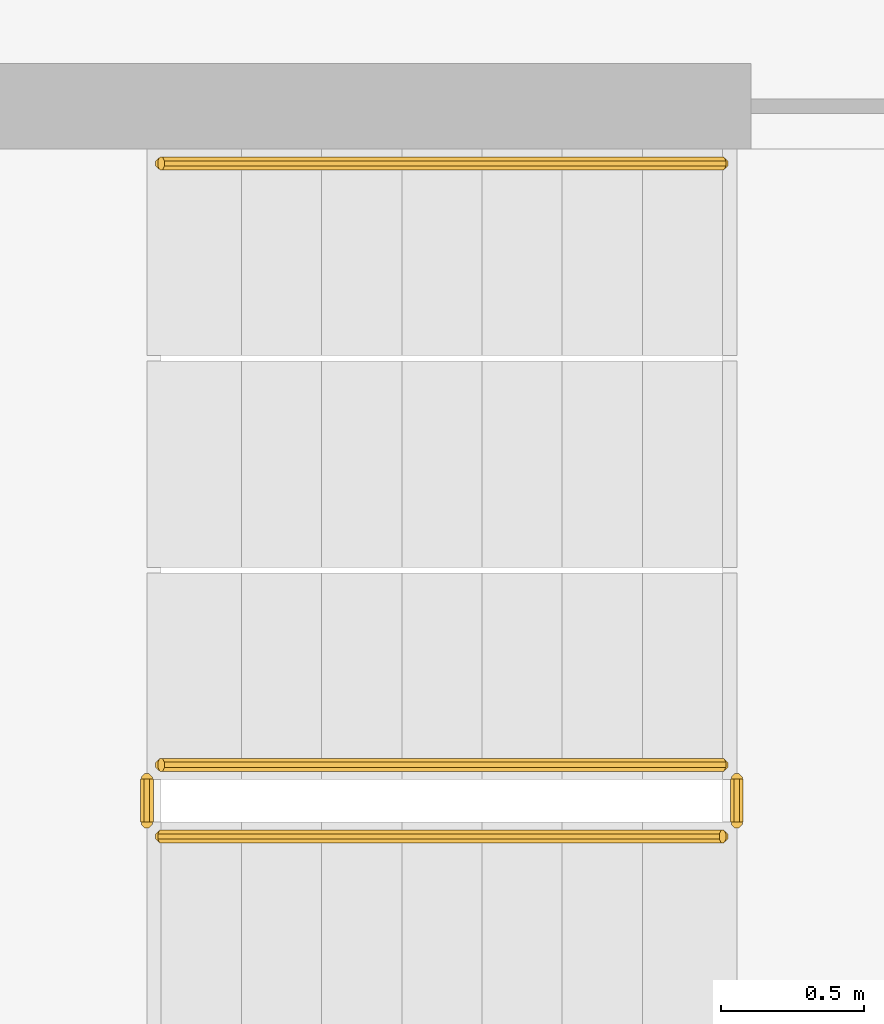
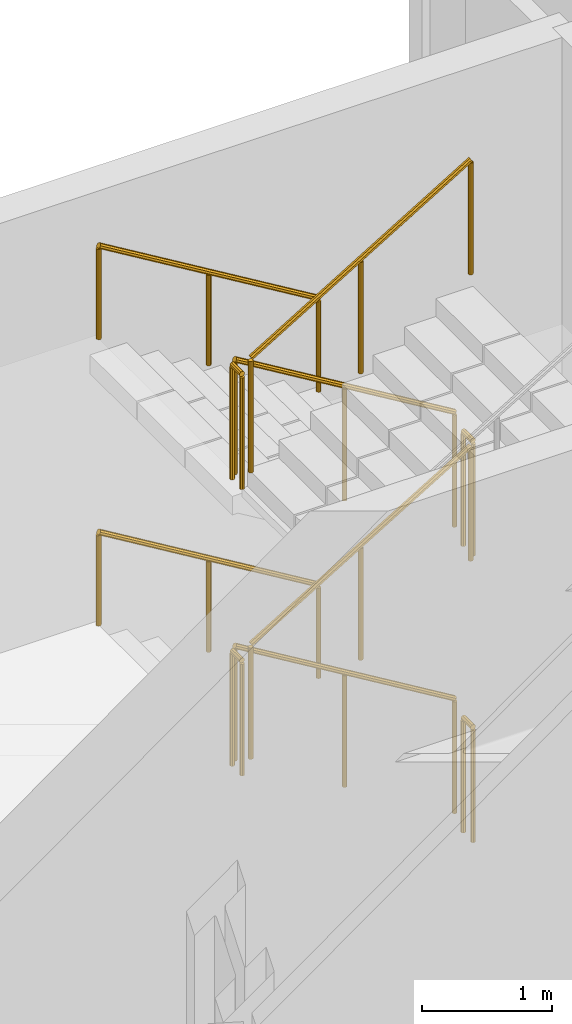
# One storey, part 21 of 31: 10 railings.
"""IFC4 building model written with IfcOpenShell, lengths in metres."""

from ifc_helpers import new_model, si_unit, direction, frame, origin, place, context, subcontext, project, spatial, polyline, outline, extrude, material, type_object, element, save


model = new_model("IFC4")

# Units and contexts
model_context = context("Model", 3, precision=1e-05, world=origin(), true_north=direction((0.0, 1.0)))
body_context = subcontext(model_context, "Body", "Model", "MODEL_VIEW")
ifc_project = project(units=[si_unit("LENGTHUNIT", "METRE"), si_unit("AREAUNIT", "SQUARE_METRE"), si_unit("VOLUMEUNIT", "CUBIC_METRE"), si_unit("PLANEANGLEUNIT", "RADIAN"), si_unit("MASSUNIT", "GRAM", prefix="KILO")], contexts=[model_context])

# Site, building, storey
site_placement = place(None, origin())
site = spatial("IfcSite", under=ifc_project, at=site_placement, CompositionType="ELEMENT")
building_placement = place(site_placement, origin())
building = spatial("IfcBuilding", under=site, at=building_placement, Name="Cormorant Relay Tower", CompositionType="ELEMENT")
storey_placement = place(building_placement, frame((0.0, 0.0, 23.0)))
storey = spatial("IfcBuildingStorey", under=building, at=storey_placement, Name="L04", CompositionType="ELEMENT", Elevation=23.0)

# Railings
ifc_material_1 = material(Name="Steel ASTM A572 Grade 50 (Fy 345 MPa)", Category="steel")
railing_type_1 = type_object("IfcRailingType", Name="Stair guard 1100", PredefinedType="GUARDRAIL", material=ifc_material_1)
railing_1_placement = place(storey_placement, frame((1.60009765625, -18.27490234375, 0.168701171875)))
element("IfcRailing", 1, at=railing_1_placement, inside=storey, type_object=railing_type_1, Name="L04 RK1 stair guard 1", PredefinedType="GUARDRAIL", context=body_context, shape_type="SweptSolid", body=[
    extrude(outline(polyline([(0.022216796875, 0.00927734375), (0.00927734375, 0.022216796875), (-0.00927734375, 0.022216796875), (-0.022216796875, 0.00927734375), (-0.022216796875, -0.00927734375), (-0.00927734375, -0.022216796875), (0.00927734375, -0.022216796875), (0.022216796875, -0.00927734375), (0.022216796875, 0.00927734375)])), frame((0.0, 0.0, 1.076171875), z_axis=(-0.856474724393, 0.0, 0.516188963923), x_axis=(0.0, -1.0, 0.0)), (0.0, 0.0, 1.0), 2.28857421875),
    extrude(outline(polyline([(0.019287109375, 0.008056640625), (0.008056640625, 0.019287109375), (-0.008056640625, 0.019287109375), (-0.019287109375, 0.008056640625), (-0.019287109375, -0.008056640625), (-0.008056640625, -0.019287109375), (0.008056640625, -0.019287109375), (0.019287109375, -0.008056640625), (0.019287109375, 0.008056640625)])), origin(), (0.0, 0.0, 1.0), 1.052001953125),
    extrude(outline(polyline([(0.019287109375, 0.008056640625), (0.008056640625, 0.019287109375), (-0.008056640625, 0.019287109375), (-0.019287109375, 0.008056640625), (-0.019287109375, -0.008056640625), (-0.008056640625, -0.019287109375), (0.008056640625, -0.019287109375), (0.019287109375, -0.008056640625), (0.019287109375, 0.008056640625)])), frame((-0.97998046875, 0.0, 0.5908203125)), (0.0, 0.0, 1.0), 1.052001953125),
    extrude(outline(polyline([(0.019287109375, 0.008056640625), (0.008056640625, 0.019287109375), (-0.008056640625, 0.019287109375), (-0.019287109375, 0.008056640625), (-0.019287109375, -0.008056640625), (-0.008056640625, -0.019287109375), (0.008056640625, -0.019287109375), (0.019287109375, -0.008056640625), (0.019287109375, 0.008056640625)])), frame((-1.960205078125, 0.0, 1.181396484375)), (0.0, 0.0, 1.0), 1.052001953125),
])
railing_2_placement = place(storey_placement, frame((-0.409912109375, -18.324951171875, 1.35009765625)))
element("IfcRailing", 2, at=railing_2_placement, inside=storey, type_object=railing_type_1, Name="L04 RK1 stair guard 2", PredefinedType="GUARDRAIL", context=body_context, shape_type="SweptSolid", body=[
    extrude(outline(polyline([(0.022216796875, 0.00927734375), (0.00927734375, 0.022216796875), (-0.00927734375, 0.022216796875), (-0.022216796875, 0.00927734375), (-0.022216796875, -0.00927734375), (-0.00927734375, -0.022216796875), (0.00927734375, -0.022216796875), (0.022216796875, -0.00927734375), (0.022216796875, 0.00927734375)])), frame((0.0, 0.0, 1.076171875), z_axis=(0.0, -1.0, 0.0), x_axis=(1.0, 0.0, 0.0)), (0.0, 0.0, 1.0), 0.150146484375),
    extrude(outline(polyline([(0.019287109375, 0.008056640625), (0.008056640625, 0.019287109375), (-0.008056640625, 0.019287109375), (-0.019287109375, 0.008056640625), (-0.019287109375, -0.008056640625), (-0.008056640625, -0.019287109375), (0.008056640625, -0.019287109375), (0.019287109375, -0.008056640625), (0.019287109375, 0.008056640625)])), origin(), (0.0, 0.0, 1.0), 1.052001953125),
    extrude(outline(polyline([(0.019287109375, 0.008056640625), (0.008056640625, 0.019287109375), (-0.008056640625, 0.019287109375), (-0.019287109375, 0.008056640625), (-0.019287109375, -0.008056640625), (-0.008056640625, -0.019287109375), (0.008056640625, -0.019287109375), (0.019287109375, -0.008056640625), (0.019287109375, 0.008056640625)])), frame((0.0, -0.150146484375, 0.0)), (0.0, 0.0, 1.0), 1.052001953125),
])
railing_3_placement = place(storey_placement, frame((-0.360107421875, -18.52490234375, 1.518798828125)))
element("IfcRailing", 3, at=railing_3_placement, inside=storey, type_object=railing_type_1, Name="L04 RK1 stair guard 3", PredefinedType="GUARDRAIL", context=body_context, shape_type="SweptSolid", body=[
    extrude(outline(polyline([(0.022216796875, 0.00927734375), (0.00927734375, 0.022216796875), (-0.00927734375, 0.022216796875), (-0.022216796875, 0.00927734375), (-0.022216796875, -0.00927734375), (-0.00927734375, -0.022216796875), (0.00927734375, -0.022216796875), (0.022216796875, -0.00927734375), (0.022216796875, 0.00927734375)])), frame((0.0, 0.0, 1.076171875), z_axis=(0.856521883693, 0.0, 0.516110707847), x_axis=(0.0, 1.0, 0.0)), (0.0, 0.0, 1.0), 2.28857421875),
    extrude(outline(polyline([(0.019287109375, 0.008056640625), (0.008056640625, 0.019287109375), (-0.008056640625, 0.019287109375), (-0.019287109375, 0.008056640625), (-0.019287109375, -0.008056640625), (-0.008056640625, -0.019287109375), (0.008056640625, -0.019287109375), (0.019287109375, -0.008056640625), (0.019287109375, 0.008056640625)])), origin(), (0.0, 0.0, 1.0), 1.052001953125),
    extrude(outline(polyline([(0.019287109375, 0.008056640625), (0.008056640625, 0.019287109375), (-0.008056640625, 0.019287109375), (-0.019287109375, 0.008056640625), (-0.019287109375, -0.008056640625), (-0.008056640625, -0.019287109375), (0.008056640625, -0.019287109375), (0.019287109375, -0.008056640625), (0.019287109375, 0.008056640625)])), frame((0.97998046875, 0.0, 0.590576171875)), (0.0, 0.0, 1.0), 1.052001953125),
    extrude(outline(polyline([(0.019287109375, 0.008056640625), (0.008056640625, 0.019287109375), (-0.008056640625, 0.019287109375), (-0.019287109375, 0.008056640625), (-0.019287109375, -0.008056640625), (-0.008056640625, -0.019287109375), (0.008056640625, -0.019287109375), (0.019287109375, -0.008056640625), (0.019287109375, 0.008056640625)])), frame((1.960205078125, 0.0, 1.18115234375)), (0.0, 0.0, 1.0), 1.052001953125),
])
railing_4_placement = place(storey_placement, frame((1.64990234375, -18.324951171875, 2.699951171875)))
element("IfcRailing", 4, at=railing_4_placement, inside=storey, type_object=railing_type_1, Name="L04 RK1 stair guard 4", PredefinedType="GUARDRAIL", context=body_context, shape_type="SweptSolid", body=[
    extrude(outline(polyline([(0.022216796875, 0.00927734375), (0.00927734375, 0.022216796875), (-0.00927734375, 0.022216796875), (-0.022216796875, 0.00927734375), (-0.022216796875, -0.00927734375), (-0.00927734375, -0.022216796875), (0.00927734375, -0.022216796875), (0.022216796875, -0.00927734375), (0.022216796875, 0.00927734375)])), frame((0.0, 0.0, 1.076171875), z_axis=(0.0, -1.0, 0.0), x_axis=(1.0, 0.0, 0.0)), (0.0, 0.0, 1.0), 0.150146484375),
    extrude(outline(polyline([(0.019287109375, 0.008056640625), (0.008056640625, 0.019287109375), (-0.008056640625, 0.019287109375), (-0.019287109375, 0.008056640625), (-0.019287109375, -0.008056640625), (-0.008056640625, -0.019287109375), (0.008056640625, -0.019287109375), (0.019287109375, -0.008056640625), (0.019287109375, 0.008056640625)])), origin(), (0.0, 0.0, 1.0), 1.052001953125),
    extrude(outline(polyline([(0.019287109375, 0.008056640625), (0.008056640625, 0.019287109375), (-0.008056640625, 0.019287109375), (-0.019287109375, 0.008056640625), (-0.019287109375, -0.008056640625), (-0.008056640625, -0.019287109375), (0.008056640625, -0.019287109375), (0.019287109375, -0.008056640625), (0.019287109375, 0.008056640625)])), frame((0.0, -0.150146484375, 0.0)), (0.0, 0.0, 1.0), 1.052001953125),
])
railing_5_placement = place(storey_placement, frame((1.60009765625, -18.27490234375, 2.86865234375)))
element("IfcRailing", 5, at=railing_5_placement, inside=storey, type_object=railing_type_1, Name="L04 RK1 stair guard 5", PredefinedType="GUARDRAIL", context=body_context, shape_type="SweptSolid", body=[
    extrude(outline(polyline([(0.022216796875, 0.00927734375), (0.00927734375, 0.022216796875), (-0.00927734375, 0.022216796875), (-0.022216796875, 0.00927734375), (-0.022216796875, -0.00927734375), (-0.00927734375, -0.022216796875), (0.00927734375, -0.022216796875), (0.022216796875, -0.00927734375), (0.022216796875, 0.00927734375)])), frame((0.0, 0.0, 1.076171875), z_axis=(-0.856474724393, 0.0, 0.516188963923), x_axis=(0.0, -1.0, 0.0)), (0.0, 0.0, 1.0), 2.28857421875),
    extrude(outline(polyline([(0.019287109375, 0.008056640625), (0.008056640625, 0.019287109375), (-0.008056640625, 0.019287109375), (-0.019287109375, 0.008056640625), (-0.019287109375, -0.008056640625), (-0.008056640625, -0.019287109375), (0.008056640625, -0.019287109375), (0.019287109375, -0.008056640625), (0.019287109375, 0.008056640625)])), origin(), (0.0, 0.0, 1.0), 1.052001953125),
    extrude(outline(polyline([(0.019287109375, 0.008056640625), (0.008056640625, 0.019287109375), (-0.008056640625, 0.019287109375), (-0.019287109375, 0.008056640625), (-0.019287109375, -0.008056640625), (-0.008056640625, -0.019287109375), (0.008056640625, -0.019287109375), (0.019287109375, -0.008056640625), (0.019287109375, 0.008056640625)])), frame((-0.97998046875, 0.0, 0.5908203125)), (0.0, 0.0, 1.0), 1.052001953125),
    extrude(outline(polyline([(0.019287109375, 0.008056640625), (0.008056640625, 0.019287109375), (-0.008056640625, 0.019287109375), (-0.019287109375, 0.008056640625), (-0.019287109375, -0.008056640625), (-0.008056640625, -0.019287109375), (0.008056640625, -0.019287109375), (0.019287109375, -0.008056640625), (0.019287109375, 0.008056640625)])), frame((-1.960205078125, 0.0, 1.181396484375)), (0.0, 0.0, 1.0), 1.052001953125),
])
railing_6_placement = place(storey_placement, frame((-0.409912109375, -18.324951171875, 4.050048828125)))
element("IfcRailing", 6, at=railing_6_placement, inside=storey, type_object=railing_type_1, Name="L04 RK1 stair guard 6", PredefinedType="GUARDRAIL", context=body_context, shape_type="SweptSolid", body=[
    extrude(outline(polyline([(0.022216796875, 0.00927734375), (0.00927734375, 0.022216796875), (-0.00927734375, 0.022216796875), (-0.022216796875, 0.00927734375), (-0.022216796875, -0.00927734375), (-0.00927734375, -0.022216796875), (0.00927734375, -0.022216796875), (0.022216796875, -0.00927734375), (0.022216796875, 0.00927734375)])), frame((0.0, 0.0, 1.076171875), z_axis=(0.0, -1.0, 0.0), x_axis=(1.0, 0.0, 0.0)), (0.0, 0.0, 1.0), 0.150146484375),
    extrude(outline(polyline([(0.019287109375, 0.008056640625), (0.008056640625, 0.019287109375), (-0.008056640625, 0.019287109375), (-0.019287109375, 0.008056640625), (-0.019287109375, -0.008056640625), (-0.008056640625, -0.019287109375), (0.008056640625, -0.019287109375), (0.019287109375, -0.008056640625), (0.019287109375, 0.008056640625)])), origin(), (0.0, 0.0, 1.0), 1.052001953125),
    extrude(outline(polyline([(0.019287109375, 0.008056640625), (0.008056640625, 0.019287109375), (-0.008056640625, 0.019287109375), (-0.019287109375, 0.008056640625), (-0.019287109375, -0.008056640625), (-0.008056640625, -0.019287109375), (0.008056640625, -0.019287109375), (0.019287109375, -0.008056640625), (0.019287109375, 0.008056640625)])), frame((0.0, -0.150146484375, 0.0)), (0.0, 0.0, 1.0), 1.052001953125),
])
railing_7_placement = place(storey_placement, frame((-0.360107421875, -18.52490234375, 4.21875)))
element("IfcRailing", 7, at=railing_7_placement, inside=storey, type_object=railing_type_1, Name="L04 RK1 stair guard 7", PredefinedType="GUARDRAIL", context=body_context, shape_type="SweptSolid", body=[
    extrude(outline(polyline([(0.022216796875, 0.00927734375), (0.00927734375, 0.022216796875), (-0.00927734375, 0.022216796875), (-0.022216796875, 0.00927734375), (-0.022216796875, -0.00927734375), (-0.00927734375, -0.022216796875), (0.00927734375, -0.022216796875), (0.022216796875, -0.00927734375), (0.022216796875, 0.00927734375)])), frame((0.0, 0.0, 1.076171875), z_axis=(0.856521883693, 0.0, 0.516110707847), x_axis=(0.0, 1.0, 0.0)), (0.0, 0.0, 1.0), 2.28857421875),
    extrude(outline(polyline([(0.019287109375, 0.008056640625), (0.008056640625, 0.019287109375), (-0.008056640625, 0.019287109375), (-0.019287109375, 0.008056640625), (-0.019287109375, -0.008056640625), (-0.008056640625, -0.019287109375), (0.008056640625, -0.019287109375), (0.019287109375, -0.008056640625), (0.019287109375, 0.008056640625)])), origin(), (0.0, 0.0, 1.0), 1.052001953125),
    extrude(outline(polyline([(0.019287109375, 0.008056640625), (0.008056640625, 0.019287109375), (-0.008056640625, 0.019287109375), (-0.019287109375, 0.008056640625), (-0.019287109375, -0.008056640625), (-0.008056640625, -0.019287109375), (0.008056640625, -0.019287109375), (0.019287109375, -0.008056640625), (0.019287109375, 0.008056640625)])), frame((0.97998046875, 0.0, 0.590576171875)), (0.0, 0.0, 1.0), 1.052001953125),
    extrude(outline(polyline([(0.019287109375, 0.008056640625), (0.008056640625, 0.019287109375), (-0.008056640625, 0.019287109375), (-0.019287109375, 0.008056640625), (-0.019287109375, -0.008056640625), (-0.008056640625, -0.019287109375), (0.008056640625, -0.019287109375), (0.019287109375, -0.008056640625), (0.019287109375, 0.008056640625)])), frame((1.960205078125, 0.0, 1.18115234375)), (0.0, 0.0, 1.0), 1.052001953125),
])
railing_8_placement = place(storey_placement, frame((1.64990234375, -18.324951171875, 0.0)))
element("IfcRailing", 8, at=railing_8_placement, inside=storey, type_object=railing_type_1, Name="L04 RK1 stair guard 8", PredefinedType="GUARDRAIL", context=body_context, shape_type="SweptSolid", body=[
    extrude(outline(polyline([(0.022216796875, 0.00927734375), (0.00927734375, 0.022216796875), (-0.00927734375, 0.022216796875), (-0.022216796875, 0.00927734375), (-0.022216796875, -0.00927734375), (-0.00927734375, -0.022216796875), (0.00927734375, -0.022216796875), (0.022216796875, -0.00927734375), (0.022216796875, 0.00927734375)])), frame((0.0, 0.0, 1.076171875), z_axis=(0.0, -1.0, 0.0), x_axis=(1.0, 0.0, 0.0)), (0.0, 0.0, 1.0), 0.150146484375),
    extrude(outline(polyline([(0.019287109375, 0.008056640625), (0.008056640625, 0.019287109375), (-0.008056640625, 0.019287109375), (-0.019287109375, 0.008056640625), (-0.019287109375, -0.008056640625), (-0.008056640625, -0.019287109375), (0.008056640625, -0.019287109375), (0.019287109375, -0.008056640625), (0.019287109375, 0.008056640625)])), origin(), (0.0, 0.0, 1.0), 1.052001953125),
    extrude(outline(polyline([(0.019287109375, 0.008056640625), (0.008056640625, 0.019287109375), (-0.008056640625, 0.019287109375), (-0.019287109375, 0.008056640625), (-0.019287109375, -0.008056640625), (-0.008056640625, -0.019287109375), (0.008056640625, -0.019287109375), (0.019287109375, -0.008056640625), (0.019287109375, 0.008056640625)])), frame((0.0, -0.150146484375, 0.0)), (0.0, 0.0, 1.0), 1.052001953125),
])
ifc_material_2 = material(Name="Steel ASTM A572 Grade 50 (Fy 345 MPa)", Category="steel")
railing_type_2 = type_object("IfcRailingType", Name="Stair handrail 900", PredefinedType="HANDRAIL", material=ifc_material_2)
for number, where, name in (
    (9, (1.60009765625, -16.175048828125, 0.168701171875), "L04 RK1 stair handrail 1"),
    (10, (1.60009765625, -16.175048828125, 2.86865234375), "L04 RK1 stair handrail 3"),
):
    element("IfcRailing", number, at=place(storey_placement, frame(where)), inside=storey, type_object=railing_type_2, Name=name, PredefinedType="HANDRAIL", context=body_context, shape_type="SweptSolid", body=[
        extrude(outline(polyline([(0.022216796875, 0.00927734375), (0.00927734375, 0.022216796875), (-0.00927734375, 0.022216796875), (-0.022216796875, 0.00927734375), (-0.022216796875, -0.00927734375), (-0.00927734375, -0.022216796875), (0.00927734375, -0.022216796875), (0.022216796875, -0.00927734375), (0.022216796875, 0.00927734375)])), frame((0.0, 0.0, 0.8759765625), z_axis=(-0.856474724393, 0.0, 0.516188963923), x_axis=(0.0, -1.0, 0.0)), (0.0, 0.0, 1.0), 2.28857421875),
        extrude(outline(polyline([(0.019287109375, 0.008056640625), (0.008056640625, 0.019287109375), (-0.008056640625, 0.019287109375), (-0.019287109375, 0.008056640625), (-0.019287109375, -0.008056640625), (-0.008056640625, -0.019287109375), (0.008056640625, -0.019287109375), (0.019287109375, -0.008056640625), (0.019287109375, 0.008056640625)])), origin(), (0.0, 0.0, 1.0), 0.851806640625),
        extrude(outline(polyline([(0.019287109375, 0.008056640625), (0.008056640625, 0.019287109375), (-0.008056640625, 0.019287109375), (-0.019287109375, 0.008056640625), (-0.019287109375, -0.008056640625), (-0.008056640625, -0.019287109375), (0.008056640625, -0.019287109375), (0.019287109375, -0.008056640625), (0.019287109375, 0.008056640625)])), frame((-0.97998046875, 0.0, 0.5908203125)), (0.0, 0.0, 1.0), 0.851806640625),
        extrude(outline(polyline([(0.019287109375, 0.008056640625), (0.008056640625, 0.019287109375), (-0.008056640625, 0.019287109375), (-0.019287109375, 0.008056640625), (-0.019287109375, -0.008056640625), (-0.008056640625, -0.019287109375), (0.008056640625, -0.019287109375), (0.019287109375, -0.008056640625), (0.019287109375, 0.008056640625)])), frame((-1.960205078125, 0.0, 1.181396484375)), (0.0, 0.0, 1.0), 0.851806640625),
    ])

save(model, "model.ifc")
